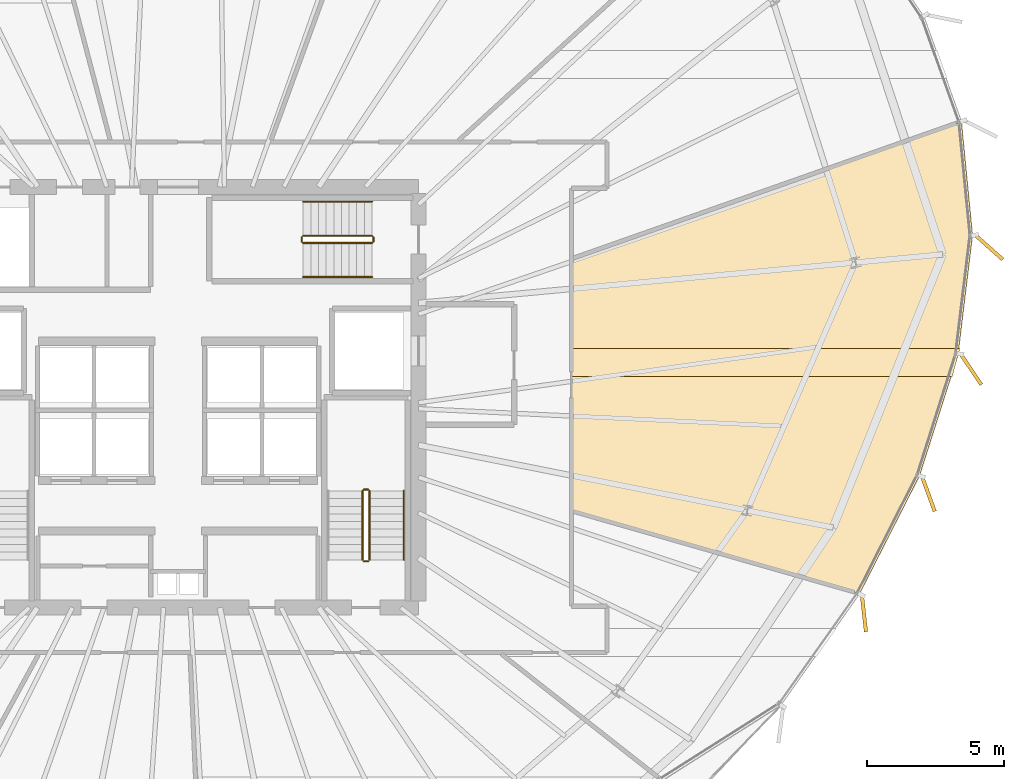
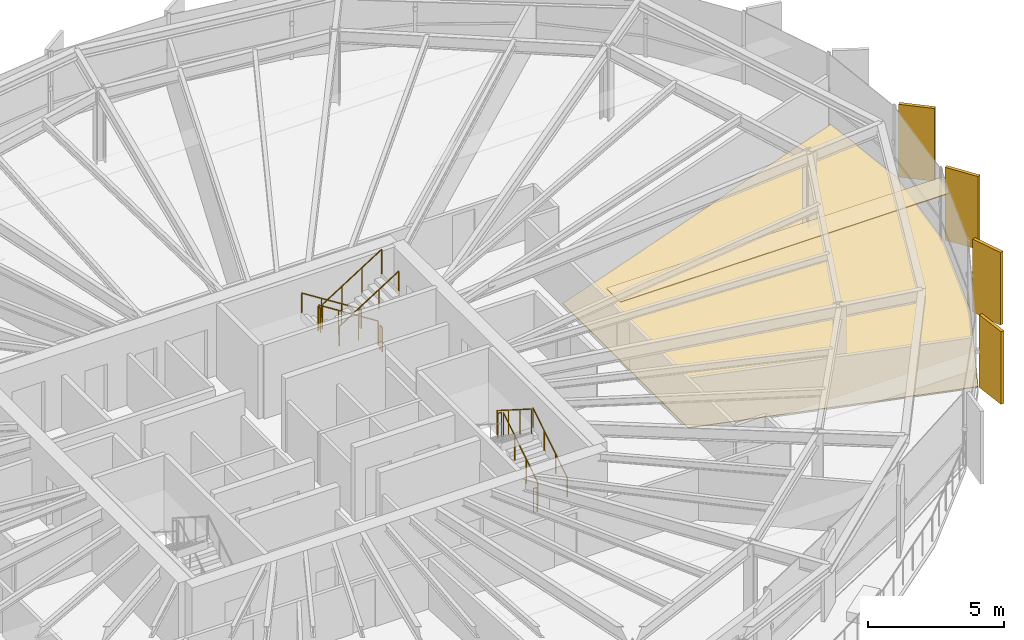
# One storey, part 35 of 36: 11 railings, 6 coverings.
"""IFC4 building model written with IfcOpenShell, lengths in metres."""

from ifc_helpers import new_model, si_unit, direction, frame, origin, origin_2d, place, context, subcontext, project, spatial, polyline, rectangle, circle, outline, extrude, source, transform, mapped, material, layer, layer_set, type_object, element, save


model = new_model("IFC4")

# Units and contexts
model_context = context("Model", 3, precision=1e-05, world=origin(), true_north=direction((0.0, 1.0)))
body_context = subcontext(model_context, "Body", "Model", "MODEL_VIEW")
ifc_project = project(units=[si_unit("LENGTHUNIT", "METRE"), si_unit("AREAUNIT", "SQUARE_METRE"), si_unit("VOLUMEUNIT", "CUBIC_METRE"), si_unit("PLANEANGLEUNIT", "RADIAN"), si_unit("MASSUNIT", "GRAM", prefix="KILO"), si_unit("THERMODYNAMICTEMPERATUREUNIT", "KELVIN")], contexts=[model_context])

# Site, building, storey
site_placement = place(None, origin())
site = spatial("IfcSite", under=ifc_project, at=site_placement, CompositionType="ELEMENT")
building_placement = place(site_placement, origin())
building = spatial("IfcBuilding", under=site, at=building_placement, Name="Kethvar Cultural Tower", CompositionType="ELEMENT")
storey_placement = place(building_placement, frame((0.0, 0.0, 143.0)))
storey = spatial("IfcBuildingStorey", under=building, at=storey_placement, Name="L36", CompositionType="ELEMENT", Elevation=143.0)

# Coverings
ifc_material_1 = material(Name="Acoustic Mineral Fibre Ceiling")
ifc_layer_1 = layer(ifc_material_1, 0.0400390625, Name="Acoustic Mineral Fibre Ceiling")
ifc_layer_set_1 = layer_set([ifc_layer_1], Name="Acoustic Mineral Fibre Ceiling (40 mm)")
covering_type_1 = type_object("IfcCoveringType", Name="CV-ACOUSTIC-CEIL", PredefinedType="CEILING", material=ifc_layer_set_1)
covering_1_placement = place(storey_placement, frame((0.0, 0.0, 2.669921875)))
element("IfcCovering", 1, at=covering_1_placement, inside=storey, type_object=covering_type_1, Name="L36 Room 05 Acoustic Ceiling Panel", PredefinedType="CEILING", context=body_context, shape_type="SweptSolid", body=[
    extrude(outline(polyline([(75.420166015625, 29.5810546875), (75.138671875, 28.551025390625), (61.179931640625, 28.551025390625), (61.179931640625, 29.5810546875), (75.420166015625, 29.5810546875)])), origin(), (0.0, 0.0, 1.0), 0.0400390625),
])
ifc_material_2 = material(Name="Architectural Oak Timber", Category="wood")
ifc_layer_2 = layer(ifc_material_2, 0.02490234375, Name="Architectural Oak Timber", Category="wood")
ifc_layer_set_2 = layer_set([ifc_layer_2], Name="Architectural Oak Timber (25 mm)")
covering_type_2 = type_object("IfcCoveringType", Name="CV-OAK-FLOOR", PredefinedType="FLOORING", material=ifc_layer_set_2)
covering_2_placement = place(storey_placement, origin())
element("IfcCovering", 2, at=covering_2_placement, inside=storey, type_object=covering_type_2, Name="L36 Room 05 Floor Finish", PredefinedType="FLOORING", context=body_context, shape_type="SweptSolid", body=[
    extrude(outline(polyline([(75.88330078125, 33.731689453125), (75.3525390625, 29.355224609375), (73.943115234375, 24.92529296875), (71.753173828125, 20.614990234375), (61.219970703125, 23.65673828125), (61.219970703125, 32.856201171875), (75.478515625, 37.876708984375), (75.88330078125, 33.731689453125)])), origin(), (0.0, 0.0, 1.0), 0.02490234375),
])

# Railings
ifc_material_3 = material(Name="Steel S355J2", Category="steel")
railing_type_1 = type_object("IfcRailingType", Name="RL-STAIR-GUARD", PredefinedType="BALUSTRADE", material=ifc_material_3)
railing_1_placement = place(storey_placement, frame((53.81005859375, 21.85009765625, 0.177490234375)))
element("IfcRailing", 3, at=railing_1_placement, inside=storey, type_object=railing_type_1, Name="L36 ST-02 stair guard 1", PredefinedType="BALUSTRADE", context=body_context, shape_type="SweptSolid", body=[
    extrude(circle(Radius=0.02392578125, at=origin_2d()), frame((0.0, 0.0, 1.09619140625), z_axis=(0.0, 0.84460694969, 0.535386869969), x_axis=(-1.0, 0.0, 0.0)), (0.0, 0.0, 1.0), 2.983642578125),
    extrude(circle(Radius=0.02099609375, at=origin_2d()), origin(), (0.0, 0.0, 1.0), 1.072021484375),
    extrude(circle(Radius=0.02099609375, at=origin_2d()), frame((0.0, 0.840087890625, 0.532470703125)), (0.0, 0.0, 1.0), 1.072021484375),
    extrude(circle(Radius=0.02099609375, at=origin_2d()), frame((0.0, 1.679931640625, 1.06494140625)), (0.0, 0.0, 1.0), 1.072021484375),
    extrude(circle(Radius=0.02099609375, at=origin_2d()), frame((0.0, 2.52001953125, 1.597412109375)), (0.0, 0.0, 1.0), 1.072021484375),
])
railing_2_placement = place(storey_placement, frame((53.760009765625, 24.419921875, 1.77490234375)))
element("IfcRailing", 4, at=railing_2_placement, inside=storey, type_object=railing_type_1, Name="L36 ST-02 stair guard 2", PredefinedType="BALUSTRADE", context=body_context, shape_type="SweptSolid", body=[
    extrude(circle(Radius=0.02392578125, at=origin_2d()), frame((0.0, 0.0, 1.09619140625), z_axis=(-1.0, 0.0, 0.0), x_axis=(0.0, -1.0, 0.0)), (0.0, 0.0, 1.0), 0.159912109375),
    extrude(circle(Radius=0.02099609375, at=origin_2d()), origin(), (0.0, 0.0, 1.0), 1.072021484375),
    extrude(circle(Radius=0.02099609375, at=origin_2d()), frame((-0.159912109375, 0.0, 0.0)), (0.0, 0.0, 1.0), 1.072021484375),
])
railing_3_placement = place(storey_placement, frame((53.550048828125, 24.3701171875, 1.952392578125)))
element("IfcRailing", 5, at=railing_3_placement, inside=storey, type_object=railing_type_1, Name="L36 ST-02 stair guard 3", PredefinedType="BALUSTRADE", context=body_context, shape_type="SweptSolid", body=[
    extrude(circle(Radius=0.02392578125, at=origin_2d()), frame((0.0, 0.0, 1.09619140625), z_axis=(0.0, -0.84456994832, 0.535445237532), x_axis=(1.0, 0.0, 0.0)), (0.0, 0.0, 1.0), 2.98388671875),
    extrude(circle(Radius=0.02099609375, at=origin_2d()), origin(), (0.0, 0.0, 1.0), 1.072021484375),
    extrude(circle(Radius=0.02099609375, at=origin_2d()), frame((0.0, -0.840087890625, 0.532470703125)), (0.0, 0.0, 1.0), 1.072021484375),
    extrude(circle(Radius=0.02099609375, at=origin_2d()), frame((0.0, -1.679931640625, 1.065185546875)), (0.0, 0.0, 1.0), 1.072021484375),
    extrude(circle(Radius=0.02099609375, at=origin_2d()), frame((0.0, -2.52001953125, 1.59765625)), (0.0, 0.0, 1.0), 1.072021484375),
])
railing_4_placement = place(storey_placement, frame((53.760009765625, 21.800048828125, 0.0)))
element("IfcRailing", 6, at=railing_4_placement, inside=storey, type_object=railing_type_1, Name="L36 ST-02 stair guard 4", PredefinedType="BALUSTRADE", context=body_context, shape_type="SweptSolid", body=[
    extrude(circle(Radius=0.02392578125, at=origin_2d()), frame((0.0, 0.0, 1.09619140625), z_axis=(-1.0, 0.0, 0.0), x_axis=(0.0, -1.0, 0.0)), (0.0, 0.0, 1.0), 0.159912109375),
    extrude(circle(Radius=0.02099609375, at=origin_2d()), origin(), (0.0, 0.0, 1.0), 1.072021484375),
    extrude(circle(Radius=0.02099609375, at=origin_2d()), frame((-0.159912109375, 0.0, 0.0)), (0.0, 0.0, 1.0), 1.072021484375),
])
railing_5_placement = place(storey_placement, frame((53.89990234375, 33.7099609375, 0.177490234375)))
element("IfcRailing", 7, at=railing_5_placement, inside=storey, type_object=railing_type_1, Name="L36 ST-03 stair guard 1", PredefinedType="BALUSTRADE", context=body_context, shape_type="SweptSolid", body=[
    extrude(circle(Radius=0.02392578125, at=origin_2d()), frame((0.0, 0.0, 1.09619140625), z_axis=(-0.84460694969, 0.0, 0.535386869969), x_axis=(0.0, -1.0, 0.0)), (0.0, 0.0, 1.0), 2.983642578125),
    extrude(circle(Radius=0.02099609375, at=origin_2d()), origin(), (0.0, 0.0, 1.0), 1.072021484375),
    extrude(circle(Radius=0.02099609375, at=origin_2d()), frame((-0.840087890625, 0.0, 0.532470703125)), (0.0, 0.0, 1.0), 1.072021484375),
    extrude(circle(Radius=0.02099609375, at=origin_2d()), frame((-1.679931640625, 0.0, 1.06494140625)), (0.0, 0.0, 1.0), 1.072021484375),
    extrude(circle(Radius=0.02099609375, at=origin_2d()), frame((-2.52001953125, 0.0, 1.597412109375)), (0.0, 0.0, 1.0), 1.072021484375),
])
railing_6_placement = place(storey_placement, frame((51.330078125, 33.659912109375, 1.77490234375)))
element("IfcRailing", 8, at=railing_6_placement, inside=storey, type_object=railing_type_1, Name="L36 ST-03 stair guard 2", PredefinedType="BALUSTRADE", context=body_context, shape_type="SweptSolid", body=[
    extrude(circle(Radius=0.02392578125, at=origin_2d()), frame((0.0, 0.0, 1.09619140625), z_axis=(0.0, -1.0, 0.0), x_axis=(1.0, 0.0, 0.0)), (0.0, 0.0, 1.0), 0.159912109375),
    extrude(circle(Radius=0.02099609375, at=origin_2d()), origin(), (0.0, 0.0, 1.0), 1.072021484375),
    extrude(circle(Radius=0.02099609375, at=origin_2d()), frame((0.0, -0.159912109375, 0.0)), (0.0, 0.0, 1.0), 1.072021484375),
])
railing_7_placement = place(storey_placement, frame((51.3798828125, 33.449951171875, 1.952392578125)))
element("IfcRailing", 9, at=railing_7_placement, inside=storey, type_object=railing_type_1, Name="L36 ST-03 stair guard 3", PredefinedType="BALUSTRADE", context=body_context, shape_type="SweptSolid", body=[
    extrude(circle(Radius=0.02392578125, at=origin_2d()), frame((0.0, 0.0, 1.09619140625), z_axis=(0.84456994832, 0.0, 0.535445237532), x_axis=(0.0, 1.0, 0.0)), (0.0, 0.0, 1.0), 2.98388671875),
    extrude(circle(Radius=0.02099609375, at=origin_2d()), origin(), (0.0, 0.0, 1.0), 1.072021484375),
    extrude(circle(Radius=0.02099609375, at=origin_2d()), frame((0.840087890625, 0.0, 0.532470703125)), (0.0, 0.0, 1.0), 1.072021484375),
    extrude(circle(Radius=0.02099609375, at=origin_2d()), frame((1.679931640625, 0.0, 1.065185546875)), (0.0, 0.0, 1.0), 1.072021484375),
    extrude(circle(Radius=0.02099609375, at=origin_2d()), frame((2.52001953125, 0.0, 1.59765625)), (0.0, 0.0, 1.0), 1.072021484375),
])
railing_8_placement = place(storey_placement, frame((53.949951171875, 33.659912109375, 0.0)))
element("IfcRailing", 10, at=railing_8_placement, inside=storey, type_object=railing_type_1, Name="L36 ST-03 stair guard 4", PredefinedType="BALUSTRADE", context=body_context, shape_type="SweptSolid", body=[
    extrude(circle(Radius=0.02392578125, at=origin_2d()), frame((0.0, 0.0, 1.09619140625), z_axis=(0.0, -1.0, 0.0), x_axis=(1.0, 0.0, 0.0)), (0.0, 0.0, 1.0), 0.159912109375),
    extrude(circle(Radius=0.02099609375, at=origin_2d()), origin(), (0.0, 0.0, 1.0), 1.072021484375),
    extrude(circle(Radius=0.02099609375, at=origin_2d()), frame((0.0, -0.159912109375, 0.0)), (0.0, 0.0, 1.0), 1.072021484375),
])
railing_type_2 = type_object("IfcRailingType", Name="RL-STAIR-HANDRAIL", PredefinedType="HANDRAIL", material=ifc_material_3)
railing_9_placement = place(storey_placement, frame((55.06005859375, 21.85009765625, 0.177490234375)))
element("IfcRailing", 11, at=railing_9_placement, inside=storey, type_object=railing_type_2, Name="L36 ST-02 stair handrail 1", PredefinedType="HANDRAIL", context=body_context, shape_type="SweptSolid", body=[
    extrude(circle(Radius=0.02392578125, at=origin_2d()), frame((0.0, 0.0, 0.8759765625), z_axis=(0.0, 0.84460694969, 0.535386869969), x_axis=(-1.0, 0.0, 0.0)), (0.0, 0.0, 1.0), 2.983642578125),
    extrude(circle(Radius=0.02099609375, at=origin_2d()), origin(), (0.0, 0.0, 1.0), 0.851806640625),
    extrude(circle(Radius=0.02099609375, at=origin_2d()), frame((0.0, 0.840087890625, 0.532470703125)), (0.0, 0.0, 1.0), 0.851806640625),
    extrude(circle(Radius=0.02099609375, at=origin_2d()), frame((0.0, 1.679931640625, 1.06494140625)), (0.0, 0.0, 1.0), 0.851806640625),
    extrude(circle(Radius=0.02099609375, at=origin_2d()), frame((0.0, 2.52001953125, 1.597412109375)), (0.0, 0.0, 1.0), 0.851806640625),
])
railing_10_placement = place(storey_placement, frame((53.89990234375, 34.9599609375, 0.177490234375)))
element("IfcRailing", 12, at=railing_10_placement, inside=storey, type_object=railing_type_2, Name="L36 ST-03 stair handrail 1", PredefinedType="HANDRAIL", context=body_context, shape_type="SweptSolid", body=[
    extrude(circle(Radius=0.02392578125, at=origin_2d()), frame((0.0, 0.0, 0.8759765625), z_axis=(-0.84460694969, 0.0, 0.535386869969), x_axis=(0.0, -1.0, 0.0)), (0.0, 0.0, 1.0), 2.983642578125),
    extrude(circle(Radius=0.02099609375, at=origin_2d()), origin(), (0.0, 0.0, 1.0), 0.851806640625),
    extrude(circle(Radius=0.02099609375, at=origin_2d()), frame((-0.840087890625, 0.0, 0.532470703125)), (0.0, 0.0, 1.0), 0.851806640625),
    extrude(circle(Radius=0.02099609375, at=origin_2d()), frame((-1.679931640625, 0.0, 1.06494140625)), (0.0, 0.0, 1.0), 0.851806640625),
    extrude(circle(Radius=0.02099609375, at=origin_2d()), frame((-2.52001953125, 0.0, 1.597412109375)), (0.0, 0.0, 1.0), 0.851806640625),
])
railing_11_placement = place(storey_placement, frame((51.3798828125, 32.199951171875, 1.952392578125)))
element("IfcRailing", 13, at=railing_11_placement, inside=storey, type_object=railing_type_2, Name="L36 ST-03 stair handrail 2", PredefinedType="HANDRAIL", context=body_context, shape_type="SweptSolid", body=[
    extrude(circle(Radius=0.02392578125, at=origin_2d()), frame((0.0, 0.0, 0.8759765625), z_axis=(0.84456994832, 0.0, 0.535445237532), x_axis=(0.0, 1.0, 0.0)), (0.0, 0.0, 1.0), 2.98388671875),
    extrude(circle(Radius=0.02099609375, at=origin_2d()), origin(), (0.0, 0.0, 1.0), 0.851806640625),
    extrude(circle(Radius=0.02099609375, at=origin_2d()), frame((0.840087890625, 0.0, 0.532470703125)), (0.0, 0.0, 1.0), 0.851806640625),
    extrude(circle(Radius=0.02099609375, at=origin_2d()), frame((1.679931640625, 0.0, 1.065185546875)), (0.0, 0.0, 1.0), 0.851806640625),
    extrude(circle(Radius=0.02099609375, at=origin_2d()), frame((2.52001953125, 0.0, 1.59765625)), (0.0, 0.0, 1.0), 0.851806640625),
])

# Coverings
ifc_material_4 = material(Name="Extruded Architectural Terracotta", Category="masonry")
ifc_layer_3 = layer(ifc_material_4, 0.135009765625, Name="Extruded Architectural Terracotta", Category="masonry")
ifc_layer_set_3 = layer_set([ifc_layer_3], Name="Extruded Architectural Terracotta (135 mm)")
covering_type_3 = type_object("IfcCoveringType", Name="Terracotta Facade Fin FIN-02", PredefinedType="CLADDING", material=ifc_layer_set_3)
shared_shape = source(origin(), body_context, "Body", "SweptSolid", [
    extrude(rectangle(XDim=1.35009765625, YDim=0.135009765625, at=origin_2d()), origin(), (0.0, 0.0, 1.0), 3.260009765625),
])
for number, where, z_axis, x_axis, name in (
    (14, (71.9091796875, 19.884033203125, 0.02001953125), (0.0, 0.0, 1.0), (0.110254732764, -0.993903362457, 0.0), "L36 Vertical Terracotta Fin 6.5"),
    (15, (74.268310546875, 24.2587890625, 0.02001953125), (0.0, 0.0, 1.0), (0.341364030823, -0.939931166873, 0.0), "L36 Vertical Terracotta Fin 6.6"),
    (16, (75.831787109375, 28.819091796875, 0.02001953125), (0.0, 0.0, 1.0), (0.556585649903, -0.83079023485, 0.0), "L36 Vertical Terracotta Fin 7.1"),
    (17, (76.4873046875, 33.290283203125, 0.02001953125), (0.0, 0.0, 1.0), (0.746870345992, -0.664969688239, 0.0), "L36 Vertical Terracotta Fin 7.2"),
):
    element("IfcCovering", number, at=place(storey_placement, frame(where, z_axis=z_axis, x_axis=x_axis)), inside=storey, type_object=covering_type_3, Name=name, PredefinedType="CLADDING", context=body_context, shape_type="MappedRepresentation", body=[
        mapped(shared_shape, transform((0.0, 0.0, 0.0), scale=1.0)),
    ])

save(model, "model.ifc")
